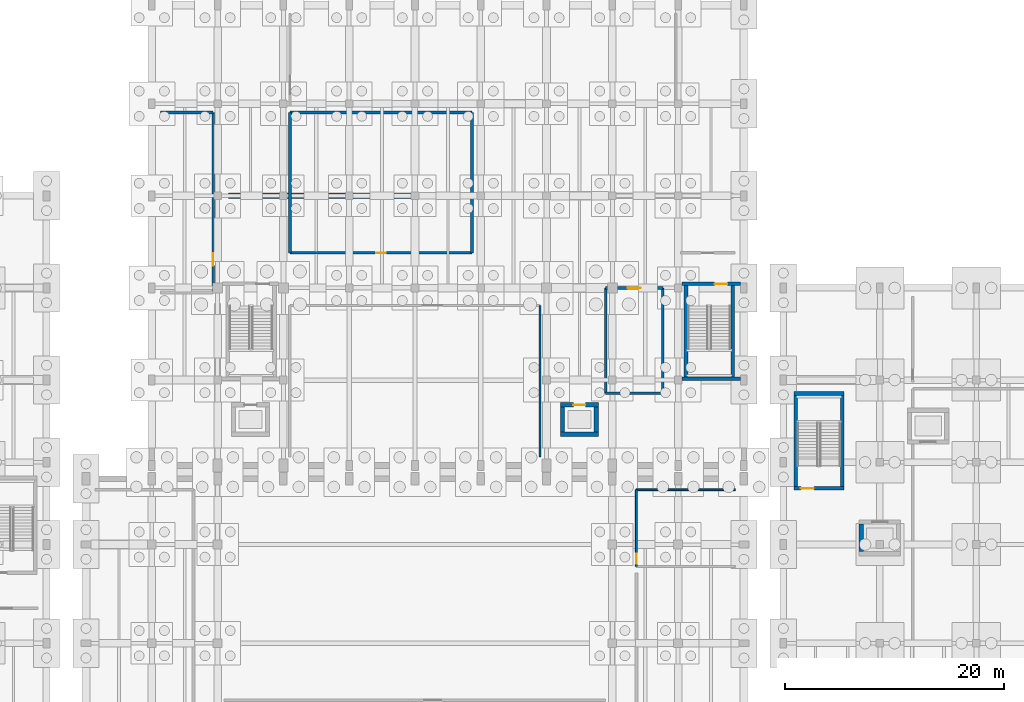
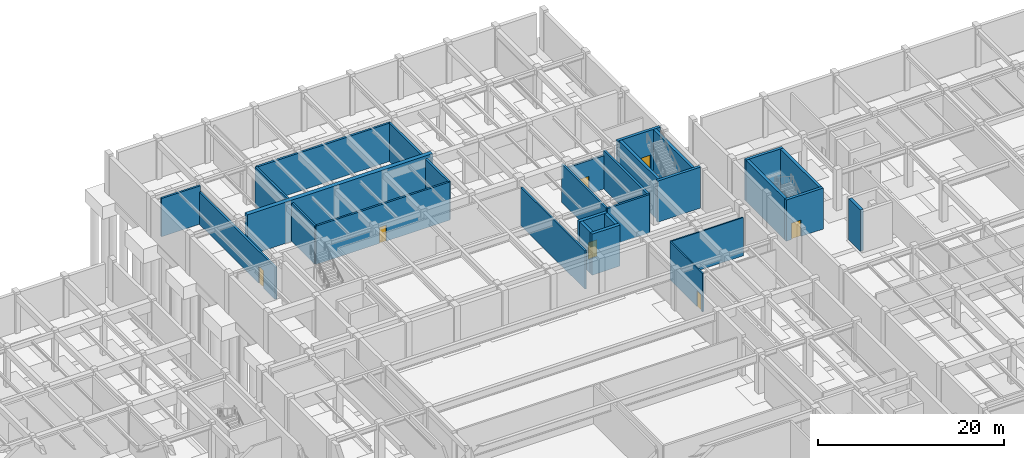
# One storey, part 53 of 69: 27 walls, 7 doors, 7 openings.
"""IFC4 building model written with IfcOpenShell, lengths in metres."""

from ifc_helpers import new_model, si_unit, direction, frame, frame_2d, origin, place, context, subcontext, project, spatial, rectangle, extrude, material, layer, layer_set, type_object, element, fill, save


model = new_model("IFC4")

# Units and contexts
model_context = context("Model", 3, precision=1e-05, world=origin(), true_north=direction((0.0, 1.0)))
body_context = subcontext(model_context, "Body", "Model", "MODEL_VIEW")
ifc_project = project(units=[si_unit("LENGTHUNIT", "METRE"), si_unit("AREAUNIT", "SQUARE_METRE"), si_unit("VOLUMEUNIT", "CUBIC_METRE"), si_unit("PLANEANGLEUNIT", "RADIAN"), si_unit("MASSUNIT", "GRAM", prefix="KILO")], contexts=[model_context])

# Site, building, storey
site_placement = place(None, origin())
site = spatial("IfcSite", under=ifc_project, at=site_placement, CompositionType="ELEMENT")
building_placement = place(site_placement, origin())
building = spatial("IfcBuilding", under=site, at=building_placement, Name="Vaelkrest Opera House", CompositionType="ELEMENT")
storey_placement = place(building_placement, frame((0.0, 0.0, -5.39990234375)))
storey = spatial("IfcBuildingStorey", under=building, at=storey_placement, Name="B1", CompositionType="ELEMENT", Elevation=-5.39990234375)

# Wall
ifc_material_1 = material(Name="Gypsum acoustic board", Category="gypsum")
ifc_layer_1 = layer(ifc_material_1, 0.1650390625)
ifc_layer_set_1 = layer_set([ifc_layer_1], Name="Gypsum acoustic board")
wall_type_1 = type_object("IfcWallType", Name="PT04", PredefinedType="PARTITIONING", material=ifc_layer_set_1)
wall_1_placement = place(storey_placement, frame((20.199951171875, 15.199951171875, 0.0), z_axis=(0.0, 0.0, 1.0), x_axis=(1.0, 0.0, 0.0)))
element("IfcWall", 1, at=wall_1_placement, inside=storey, type_object=wall_type_1, Name="Interior partition PT-V1-B1-0018", PredefinedType="PARTITIONING", context=body_context, shape_type="SweptSolid", body=[
    extrude(rectangle(XDim=9.0, YDim=0.1650390625, at=frame_2d((4.5, 0.0))), origin(), (0.0, 0.0, 1.0), 5.02001953125),
])

# Wall, opening, door
ifc_layer_2 = layer(ifc_material_1, 0.179931640625)
ifc_layer_set_2 = layer_set([ifc_layer_2], Name="Gypsum acoustic board")
wall_type_2 = type_object("IfcWallType", Name="PT05", PredefinedType="PARTITIONING", material=ifc_layer_set_2)
wall_2_placement = place(storey_placement, frame((20.199951171875, 8.199951171875, 0.0), z_axis=(0.0, 0.0, 1.0), x_axis=(0.0, 1.0, 0.0)))
wall_2 = element("IfcWall", 2, at=wall_2_placement, inside=storey, type_object=wall_type_2, Name="Interior partition PT-V1-B1-0019", PredefinedType="PARTITIONING", context=body_context, shape_type="SweptSolid", body=[
    extrude(rectangle(XDim=7.0, YDim=0.179931640625, at=frame_2d((3.5, 0.0))), origin(), (0.0, 0.0, 1.0), 5.02001953125),
])
opening_1_placement = place(wall_2_placement, frame((0.25, 0.0, 0.0)))
opening_1 = element("IfcOpeningElement", 3, at=opening_1_placement, cuts=wall_2, Name="Opening D007", PredefinedType="OPENING", context=body_context, shape_type="SweptSolid", body=[
    extrude(rectangle(XDim=0.89990234375, YDim=2.10009765625, at=frame_2d((0.449951171875, 1.050048828125))), frame((0.0, 0.099853515625, 0.0), z_axis=(0.0, -1.0, 0.0), x_axis=(1.0, 0.0, 0.0)), (0.0, 0.0, 1.0), 0.199951171875),
])
ifc_material_2 = material(Name="American black walnut acoustic timber", Category="wood")
door_type_1 = type_object("IfcDoorType", Name="DT01", OperationType="NOTDEFINED", PredefinedType="DOOR", material=ifc_material_2)
door_1_placement = place(opening_1_placement, origin())
door_1 = element("IfcDoor", 4, at=door_1_placement, inside=storey, type_object=door_type_1, Name="Interior door D007 (Accessible Washroom)", OperationType="SINGLE_SWING_RIGHT", OverallHeight=2.10009765625, OverallWidth=0.89990234375, PredefinedType="DOOR", context=body_context, shape_type="SweptSolid", body=[
    extrude(rectangle(XDim=0.89990234375, YDim=2.10009765625, at=frame_2d((0.449951171875, 1.050048828125))), frame((0.0, 0.02490234375, 0.0), z_axis=(0.0, -1.0, 0.0), x_axis=(1.0, 0.0, 0.0)), (0.0, 0.0, 1.0), 0.050048828125),
])
fill(opening_1, door_1)

# Walls
ifc_layer_3 = layer(ifc_material_2, 0.2099609375)
ifc_layer_set_3 = layer_set([ifc_layer_3], Name="American black walnut acoustic timber")
wall_type_3 = type_object("IfcWallType", Name="PT07", PredefinedType="PARTITIONING", material=ifc_layer_set_3)
wall_3_placement = place(storey_placement, frame((11.39990234375, 18.199951171875, 0.0), z_axis=(0.0, 0.0, 1.0), x_axis=(0.0, 1.0, 0.0)))
element("IfcWall", 5, at=wall_3_placement, inside=storey, type_object=wall_type_3, Name="Interior partition PT-V2-B1-0155", PredefinedType="PARTITIONING", context=body_context, shape_type="SweptSolid", body=[
    extrude(rectangle(XDim=13.800048828125, YDim=0.2099609375, at=frame_2d((6.89990234375, 0.0))), origin(), (0.0, 0.0, 1.0), 5.02001953125),
])
ifc_material_3 = material(Name="Concrete C40/50", Category="concrete")
ifc_layer_4 = layer(ifc_material_3, 0.239990234375)
ifc_layer_set_4 = layer_set([ifc_layer_4], Name="Concrete C40/50")
wall_type_4 = type_object("IfcWallType", Name="PT09", PredefinedType="PARTITIONING", material=ifc_layer_set_4)
wall_4_placement = place(storey_placement, frame((-23.199951171875, 49.60009765625, 0.0), z_axis=(0.0, 0.0, 1.0), x_axis=(1.0, 0.0, 0.0)))
element("IfcWall", 6, at=wall_4_placement, inside=storey, type_object=wall_type_4, Name="Interior partition PT-V2-B1-0157", PredefinedType="PARTITIONING", context=body_context, shape_type="SweptSolid", body=[
    extrude(rectangle(XDim=4.800048828125, YDim=0.239990234375, at=frame_2d((2.39990234375, 0.0))), origin(), (0.0, 0.0, 1.0), 5.02001953125),
])
wall_5_placement = place(storey_placement, frame((17.39990234375, 24.0, 0.0), z_axis=(0.0, 0.0, 1.0), x_axis=(1.0, 0.0, 0.0)))
element("IfcWall", 7, at=wall_5_placement, inside=storey, type_object=wall_type_4, Name="Interior partition PT-V2-B1-0159", PredefinedType="PARTITIONING", context=body_context, shape_type="SweptSolid", body=[
    extrude(rectangle(XDim=5.2001953125, YDim=0.239990234375, at=frame_2d((2.60009765625, 0.0))), origin(), (0.0, 0.0, 1.0), 5.02001953125),
])
wall_6_placement = place(storey_placement, frame((17.39990234375, 24.0, 0.0), z_axis=(0.0, 0.0, 1.0), x_axis=(0.0, 1.0, 0.0)))
element("IfcWall", 8, at=wall_6_placement, inside=storey, type_object=wall_type_4, Name="Interior partition PT-V2-B1-0161", PredefinedType="PARTITIONING", context=body_context, shape_type="SweptSolid", body=[
    extrude(rectangle(XDim=9.60009765625, YDim=0.239990234375, at=frame_2d((4.800048828125, 0.0))), origin(), (0.0, 0.0, 1.0), 5.02001953125),
])

# Wall, opening, door
wall_7_placement = place(storey_placement, frame((-11.39990234375, 36.800048828125, 0.0), z_axis=(0.0, 0.0, 1.0), x_axis=(1.0, 0.0, 0.0)))
wall_7 = element("IfcWall", 9, at=wall_7_placement, inside=storey, type_object=wall_type_4, Name="Interior partition PT-V2-B1-0163", PredefinedType="PARTITIONING", context=body_context, shape_type="SweptSolid", body=[
    extrude(rectangle(XDim=16.599853515625, YDim=0.239990234375, at=frame_2d((8.2998046875, 0.0))), origin(), (0.0, 0.0, 1.0), 5.02001953125),
])
opening_2_placement = place(wall_7_placement, frame((7.85009765625, 0.0, 0.0)))
opening_2 = element("IfcOpeningElement", 10, at=opening_2_placement, cuts=wall_7, Name="Opening D061", PredefinedType="OPENING", context=body_context, shape_type="SweptSolid", body=[
    extrude(rectangle(XDim=0.89990234375, YDim=2.10009765625, at=frame_2d((0.449951171875, 1.050048828125))), frame((0.0, 0.1298828125, 0.0), z_axis=(0.0, -1.0, 0.0), x_axis=(1.0, 0.0, 0.0)), (0.0, 0.0, 1.0), 0.260009765625),
])
door_2_placement = place(opening_2_placement, origin())
door_2 = element("IfcDoor", 11, at=door_2_placement, inside=storey, type_object=door_type_1, Name="Interior door D061 (MEP Plant Room)", OperationType="SINGLE_SWING_RIGHT", OverallHeight=2.10009765625, OverallWidth=0.89990234375, PredefinedType="DOOR", context=body_context, shape_type="SweptSolid", body=[
    extrude(rectangle(XDim=0.89990234375, YDim=2.10009765625, at=frame_2d((0.449951171875, 1.050048828125))), frame((0.0, 0.02490234375, 0.0), z_axis=(0.0, -1.0, 0.0), x_axis=(1.0, 0.0, 0.0)), (0.0, 0.0, 1.0), 0.050048828125),
])
fill(opening_2, door_2)

# Wall
wall_8_placement = place(storey_placement, frame((-11.39990234375, 36.800048828125, 0.0), z_axis=(0.0, 0.0, 1.0), x_axis=(0.0, 1.0, 0.0)))
element("IfcWall", 12, at=wall_8_placement, inside=storey, type_object=wall_type_4, Name="Interior partition PT-V2-B1-0165", PredefinedType="PARTITIONING", context=body_context, shape_type="SweptSolid", body=[
    extrude(rectangle(XDim=12.800048828125, YDim=0.239990234375, at=frame_2d((6.39990234375, 0.0))), origin(), (0.0, 0.0, 1.0), 5.02001953125),
])

# Wall, opening, door
ifc_layer_5 = layer(ifc_material_3, 0.260009765625)
ifc_layer_set_5 = layer_set([ifc_layer_5], Name="Concrete C40/50")
wall_type_5 = type_object("IfcWallType", Name="PT10", PredefinedType="PARTITIONING", material=ifc_layer_set_5)
wall_9_placement = place(storey_placement, frame((-18.39990234375, 33.199951171875, 0.0), z_axis=(0.0, 0.0, 1.0), x_axis=(0.0, 1.0, 0.0)))
wall_9 = element("IfcWall", 13, at=wall_9_placement, inside=storey, type_object=wall_type_5, Name="Interior partition PT-V2-B1-0158", PredefinedType="PARTITIONING", context=body_context, shape_type="SweptSolid", body=[
    extrude(rectangle(XDim=16.400146484375, YDim=0.260009765625, at=frame_2d((8.2001953125, 0.0))), origin(), (0.0, 0.0, 1.0), 4.219970703125),
])
opening_3_placement = place(wall_9_placement, frame((2.43994140625, 0.0, 0.0)))
opening_3 = element("IfcOpeningElement", 14, at=opening_3_placement, cuts=wall_9, Name="Opening D059", PredefinedType="OPENING", context=body_context, shape_type="SweptSolid", body=[
    extrude(rectangle(XDim=1.1201171875, YDim=2.25, at=frame_2d((0.56005859375, 1.125))), frame((0.0, 0.139892578125, 0.0), z_axis=(0.0, -1.0, 0.0), x_axis=(1.0, 0.0, 0.0)), (0.0, 0.0, 1.0), 0.280029296875),
])
door_type_2 = type_object("IfcDoorType", Name="DT23", OperationType="NOTDEFINED", PredefinedType="DOOR", material=ifc_material_2)
door_3_placement = place(opening_3_placement, origin())
door_3 = element("IfcDoor", 15, at=door_3_placement, inside=storey, type_object=door_type_2, Name="Interior door D059 (Scenery Store)", OperationType="SINGLE_SWING_RIGHT", OverallHeight=2.25, OverallWidth=1.1201171875, PredefinedType="DOOR", context=body_context, shape_type="SweptSolid", body=[
    extrude(rectangle(XDim=1.1201171875, YDim=2.25, at=frame_2d((0.56005859375, 1.125))), frame((0.0, 0.02490234375, 0.0), z_axis=(0.0, -1.0, 0.0), x_axis=(1.0, 0.0, 0.0)), (0.0, 0.0, 1.0), 0.050048828125),
])
fill(opening_3, door_3)

wall_10_placement = place(storey_placement, frame((17.39990234375, 33.60009765625, 0.0), z_axis=(0.0, 0.0, 1.0), x_axis=(1.0, 0.0, 0.0)))
wall_10 = element("IfcWall", 16, at=wall_10_placement, inside=storey, type_object=wall_type_5, Name="Interior partition PT-V2-B1-0160", PredefinedType="PARTITIONING", context=body_context, shape_type="SweptSolid", body=[
    extrude(rectangle(XDim=5.2001953125, YDim=0.260009765625, at=frame_2d((2.60009765625, 0.0))), origin(), (0.0, 0.0, 1.0), 4.35888671875),
])
opening_4_placement = place(wall_10_placement, frame((1.989990234375, 0.0, 0.0)))
opening_4 = element("IfcOpeningElement", 17, at=opening_4_placement, cuts=wall_10, Name="Opening D060", PredefinedType="OPENING", context=body_context, shape_type="SweptSolid", body=[
    extrude(rectangle(XDim=1.219970703125, YDim=2.300048828125, at=frame_2d((0.60986328125, 1.14990234375))), frame((0.0, 0.139892578125, 0.0), z_axis=(0.0, -1.0, 0.0), x_axis=(1.0, 0.0, 0.0)), (0.0, 0.0, 1.0), 0.280029296875),
])
door_type_3 = type_object("IfcDoorType", Name="DT24", OperationType="NOTDEFINED", PredefinedType="DOOR", material=ifc_material_2)
door_4_placement = place(opening_4_placement, origin())
door_4 = element("IfcDoor", 18, at=door_4_placement, inside=storey, type_object=door_type_3, Name="Interior door D060 (Prop Store)", OperationType="SINGLE_SWING_LEFT", OverallHeight=2.300048828125, OverallWidth=1.219970703125, PredefinedType="DOOR", context=body_context, shape_type="SweptSolid", body=[
    extrude(rectangle(XDim=1.219970703125, YDim=2.300048828125, at=frame_2d((0.60986328125, 1.14990234375))), frame((0.0, 0.02490234375, 0.0), z_axis=(0.0, -1.0, 0.0), x_axis=(1.0, 0.0, 0.0)), (0.0, 0.0, 1.0), 0.050048828125),
])
fill(opening_4, door_4)

# Walls
wall_11_placement = place(storey_placement, frame((22.60009765625, 24.0, 0.0), z_axis=(0.0, 0.0, 1.0), x_axis=(0.0, 1.0, 0.0)))
element("IfcWall", 19, at=wall_11_placement, inside=storey, type_object=wall_type_5, Name="Interior partition PT-V2-B1-0162", PredefinedType="PARTITIONING", context=body_context, shape_type="SweptSolid", body=[
    extrude(rectangle(XDim=9.60009765625, YDim=0.260009765625, at=frame_2d((4.800048828125, 0.0))), origin(), (0.0, 0.0, 1.0), 5.02001953125),
])
wall_12_placement = place(storey_placement, frame((-11.39990234375, 49.60009765625, 0.0), z_axis=(0.0, 0.0, 1.0), x_axis=(1.0, 0.0, 0.0)))
element("IfcWall", 20, at=wall_12_placement, inside=storey, type_object=wall_type_5, Name="Interior partition PT-V2-B1-0164", PredefinedType="PARTITIONING", context=body_context, shape_type="SweptSolid", body=[
    extrude(rectangle(XDim=16.599853515625, YDim=0.260009765625, at=frame_2d((8.2998046875, 0.0))), origin(), (0.0, 0.0, 1.0), 5.02001953125),
])
wall_13_placement = place(storey_placement, frame((5.199951171875, 36.800048828125, 0.0), z_axis=(0.0, 0.0, 1.0), x_axis=(0.0, 1.0, 0.0)))
element("IfcWall", 21, at=wall_13_placement, inside=storey, type_object=wall_type_5, Name="Interior partition PT-V2-B1-0166", PredefinedType="PARTITIONING", context=body_context, shape_type="SweptSolid", body=[
    extrude(rectangle(XDim=12.800048828125, YDim=0.260009765625, at=frame_2d((6.39990234375, 0.0))), origin(), (0.0, 0.0, 1.0), 5.02001953125),
])
ifc_material_4 = material(Name="Concrete C50/60", Category="concrete")
ifc_layer_6 = layer(ifc_material_4, 0.35009765625)
ifc_layer_set_6 = layer_set([ifc_layer_6], Name="Concrete C50/60")
wall_type_6 = type_object("IfcWallType", Name="SW01", PredefinedType="SHEAR", material=ifc_layer_set_6)
wall_14_placement = place(storey_placement, frame((29.699951171875, 25.324951171875, 0.0), z_axis=(0.0, 0.0, 1.0), x_axis=(-1.0, 0.0, 0.0)))
element("IfcWall", 22, at=wall_14_placement, inside=storey, type_object=wall_type_6, Name="Stair core ST06 wall B1 S", PredefinedType="SHEAR", context=body_context, shape_type="SweptSolid", body=[
    extrude(rectangle(XDim=5.349853515625, YDim=0.35009765625, at=frame_2d((2.6748046875, 0.0))), origin(), (0.0, 0.0, 1.0), 5.39990234375),
])
wall_15_placement = place(storey_placement, frame((24.72509765625, 25.5, 0.0), z_axis=(0.0, 0.0, 1.0), x_axis=(0.0, 1.0, 0.0)))
element("IfcWall", 23, at=wall_15_placement, inside=storey, type_object=wall_type_6, Name="Stair core ST06 wall B1 W", PredefinedType="SHEAR", context=body_context, shape_type="SweptSolid", body=[
    extrude(rectangle(XDim=8.300048828125, YDim=0.35009765625, at=frame_2d((4.14990234375, 0.0))), origin(), (0.0, 0.0, 1.0), 5.39990234375),
])

# Wall, opening, door
wall_16_placement = place(storey_placement, frame((24.35009765625, 33.97509765625, 0.0), z_axis=(0.0, 0.0, 1.0), x_axis=(1.0, 0.0, 0.0)))
wall_16 = element("IfcWall", 24, at=wall_16_placement, inside=storey, type_object=wall_type_6, Name="Stair core ST06 wall B1 N", PredefinedType="SHEAR", context=body_context, shape_type="SweptSolid", body=[
    extrude(rectangle(XDim=5.349853515625, YDim=0.35009765625, at=frame_2d((2.6748046875, 0.0))), origin(), (0.0, 0.0, 1.0), 5.39990234375),
])
opening_5_placement = place(wall_16_placement, frame((2.969970703125, 0.0, 0.0)))
opening_5 = element("IfcOpeningElement", 25, at=opening_5_placement, cuts=wall_16, Name="Opening SD-ST06-B1", PredefinedType="OPENING", context=body_context, shape_type="SweptSolid", body=[
    extrude(rectangle(XDim=1.179931640625, YDim=2.14990234375, at=frame_2d((0.58984375, 1.074951171875))), frame((0.0, 0.18505859375, 0.0), z_axis=(0.0, -1.0, 0.0), x_axis=(1.0, 0.0, 0.0)), (0.0, 0.0, 1.0), 0.3701171875),
])
door_type_4 = type_object("IfcDoorType", Name="DT07", OperationType="NOTDEFINED", PredefinedType="DOOR", material=ifc_material_2)
door_5_placement = place(opening_5_placement, origin())
door_5 = element("IfcDoor", 26, at=door_5_placement, inside=storey, type_object=door_type_4, Name="Protected stair door SD-ST06-B1", OperationType="SINGLE_SWING_LEFT", OverallHeight=2.14990234375, OverallWidth=1.179931640625, PredefinedType="DOOR", context=body_context, shape_type="SweptSolid", body=[
    extrude(rectangle(XDim=1.179931640625, YDim=2.14990234375, at=frame_2d((0.58984375, 1.074951171875))), frame((0.0, 0.02490234375, 0.0), z_axis=(0.0, -1.0, 0.0), x_axis=(1.0, 0.0, 0.0)), (0.0, 0.0, 1.0), 0.050048828125),
])
fill(opening_5, door_5)

# Wall
wall_17_placement = place(storey_placement, frame((28.97509765625, 33.800048828125, 0.0), z_axis=(0.0, 0.0, 1.0), x_axis=(0.0, -1.0, 0.0)))
element("IfcWall", 27, at=wall_17_placement, inside=storey, type_object=wall_type_6, Name="Stair core ST06 wall B1 E", PredefinedType="SHEAR", context=body_context, shape_type="SweptSolid", body=[
    extrude(rectangle(XDim=8.300048828125, YDim=0.35009765625, at=frame_2d((4.14990234375, 0.0))), origin(), (0.0, 0.0, 1.0), 5.39990234375),
])

# Wall, opening, door
wall_18_placement = place(storey_placement, frame((39.14990234375, 15.324951171875, 0.0), z_axis=(0.0, 0.0, 1.0), x_axis=(-1.0, 0.0, 0.0)))
wall_18 = element("IfcWall", 28, at=wall_18_placement, inside=storey, type_object=wall_type_6, Name="Stair core ST09 wall B1 S", PredefinedType="SHEAR", context=body_context, shape_type="SweptSolid", body=[
    extrude(rectangle(XDim=4.599853515625, YDim=0.35009765625, at=frame_2d((2.2998046875, 0.0))), origin(), (0.0, 0.0, 1.0), 5.39990234375),
])
opening_6_placement = place(wall_18_placement, frame((2.77001953125, 0.0, 0.0)))
opening_6 = element("IfcOpeningElement", 29, at=opening_6_placement, cuts=wall_18, Name="Opening SD-ST09-B1", PredefinedType="OPENING", context=body_context, shape_type="SweptSolid", body=[
    extrude(rectangle(XDim=1.179931640625, YDim=2.14990234375, at=frame_2d((0.58984375, 1.074951171875))), frame((0.0, 0.18505859375, 0.0), z_axis=(0.0, -1.0, 0.0), x_axis=(1.0, 0.0, 0.0)), (0.0, 0.0, 1.0), 0.3701171875),
])
door_6_placement = place(opening_6_placement, origin())
door_6 = element("IfcDoor", 30, at=door_6_placement, inside=storey, type_object=door_type_4, Name="Protected stair door SD-ST09-B1", OperationType="SINGLE_SWING_RIGHT", OverallHeight=2.14990234375, OverallWidth=1.179931640625, PredefinedType="DOOR", context=body_context, shape_type="SweptSolid", body=[
    extrude(rectangle(XDim=1.179931640625, YDim=2.14990234375, at=frame_2d((0.58984375, 1.074951171875))), frame((0.0, 0.02490234375, 0.0), z_axis=(0.0, -1.0, 0.0), x_axis=(1.0, 0.0, 0.0)), (0.0, 0.0, 1.0), 0.050048828125),
])
fill(opening_6, door_6)

# Walls
wall_19_placement = place(storey_placement, frame((34.72509765625, 15.5, 0.0), z_axis=(0.0, 0.0, 1.0), x_axis=(0.0, 1.0, 0.0)))
element("IfcWall", 31, at=wall_19_placement, inside=storey, type_object=wall_type_6, Name="Stair core ST09 wall B1 W", PredefinedType="SHEAR", context=body_context, shape_type="SweptSolid", body=[
    extrude(rectangle(XDim=8.300048828125, YDim=0.35009765625, at=frame_2d((4.14990234375, 0.0))), origin(), (0.0, 0.0, 1.0), 5.39990234375),
])
wall_20_placement = place(storey_placement, frame((34.550048828125, 23.97509765625, 0.0), z_axis=(0.0, 0.0, 1.0), x_axis=(1.0, 0.0, 0.0)))
element("IfcWall", 32, at=wall_20_placement, inside=storey, type_object=wall_type_6, Name="Stair core ST09 wall B1 N", PredefinedType="SHEAR", context=body_context, shape_type="SweptSolid", body=[
    extrude(rectangle(XDim=4.599853515625, YDim=0.35009765625, at=frame_2d((2.2998046875, 0.0))), origin(), (0.0, 0.0, 1.0), 5.39990234375),
])
wall_21_placement = place(storey_placement, frame((38.97509765625, 23.800048828125, 0.0), z_axis=(0.0, 0.0, 1.0), x_axis=(0.0, -1.0, 0.0)))
element("IfcWall", 33, at=wall_21_placement, inside=storey, type_object=wall_type_6, Name="Stair core ST09 wall B1 E", PredefinedType="SHEAR", context=body_context, shape_type="SweptSolid", body=[
    extrude(rectangle(XDim=8.300048828125, YDim=0.35009765625, at=frame_2d((4.14990234375, 0.0))), origin(), (0.0, 0.0, 1.0), 5.39990234375),
])
ifc_layer_7 = layer(ifc_material_4, 0.389892578125)
ifc_layer_set_7 = layer_set([ifc_layer_7], Name="Concrete C50/60")
wall_type_7 = type_object("IfcWallType", Name="SW02", PredefinedType="SHEAR", material=ifc_layer_set_7)
wall_22_placement = place(storey_placement, frame((16.739990234375, 20.2548828125, 0.0), z_axis=(0.0, 0.0, 1.0), x_axis=(-1.0, 0.0, 0.0)))
element("IfcWall", 34, at=wall_22_placement, inside=storey, type_object=wall_type_7, Name="Lift shaft LF02 wall B1 S", PredefinedType="SHEAR", context=body_context, shape_type="SweptSolid", body=[
    extrude(rectangle(XDim=3.47998046875, YDim=0.389892578125, at=frame_2d((1.739990234375, 0.0))), origin(), (0.0, 0.0, 1.0), 5.39990234375),
])

# Wall, opening, door
wall_23_placement = place(storey_placement, frame((13.260009765625, 22.945068359375, 0.0), z_axis=(0.0, 0.0, 1.0), x_axis=(1.0, 0.0, 0.0)))
wall_23 = element("IfcWall", 35, at=wall_23_placement, inside=storey, type_object=wall_type_7, Name="Lift shaft LF02 wall B1 N", PredefinedType="SHEAR", context=body_context, shape_type="SweptSolid", body=[
    extrude(rectangle(XDim=3.47998046875, YDim=0.389892578125, at=frame_2d((1.739990234375, 0.0))), origin(), (0.0, 0.0, 1.0), 5.39990234375),
])
opening_7_placement = place(wall_23_placement, frame((1.18994140625, 0.0, 0.0)))
opening_7 = element("IfcOpeningElement", 36, at=opening_7_placement, cuts=wall_23, Name="Opening LD-LF02-B1", PredefinedType="OPENING", context=body_context, shape_type="SweptSolid", body=[
    extrude(rectangle(XDim=1.10009765625, YDim=2.14990234375, at=frame_2d((0.550048828125, 1.074951171875))), frame((0.0, 0.204833984375, 0.0), z_axis=(0.0, -1.0, 0.0), x_axis=(1.0, 0.0, 0.0)), (0.0, 0.0, 1.0), 0.409912109375),
])
ifc_material_5 = material(Name="Dark bronze anodized aluminium", Category="aluminium")
door_type_5 = type_object("IfcDoorType", Name="LDT01", OperationType="SLIDING_TO_LEFT", PredefinedType="DOOR", material=ifc_material_5)
door_7_placement = place(opening_7_placement, origin())
door_7 = element("IfcDoor", 37, at=door_7_placement, inside=storey, type_object=door_type_5, Name="Lift landing sliding door LD-LF02-B1", OperationType="SLIDING_TO_LEFT", OverallHeight=2.14990234375, OverallWidth=1.10009765625, PredefinedType="DOOR", context=body_context, shape_type="SweptSolid", body=[
    extrude(rectangle(XDim=1.10009765625, YDim=2.14990234375, at=frame_2d((0.550048828125, 1.074951171875))), frame((0.0, 0.02490234375, 0.0), z_axis=(0.0, -1.0, 0.0), x_axis=(1.0, 0.0, 0.0)), (0.0, 0.0, 1.0), 0.050048828125),
])
fill(opening_7, door_7)

# Walls
for number, where, z_axis, x_axis, name in (
    (38, (13.455078125, 20.449951171875, 0.0), (0.0, 0.0, 1.0), (0.0, 1.0, 0.0), "Lift shaft LF02 wall B1 W"),
    (39, (16.544921875, 22.75, 0.0), (0.0, 0.0, 1.0), (0.0, -1.0, 0.0), "Lift shaft LF02 wall B1 E"),
):
    element("IfcWall", number, at=place(storey_placement, frame(where, z_axis=z_axis, x_axis=x_axis)), inside=storey, type_object=wall_type_7, Name=name, PredefinedType="SHEAR", context=body_context, shape_type="SweptSolid", body=[
        extrude(rectangle(XDim=2.300048828125, YDim=0.389892578125, at=frame_2d((1.14990234375, 0.0))), origin(), (0.0, 0.0, 1.0), 5.39990234375),
    ])
wall_24_placement = place(storey_placement, frame((40.705078125, 9.550048828125, 0.0), z_axis=(0.0, 0.0, 1.0), x_axis=(0.0, 1.0, 0.0)))
element("IfcWall", 40, at=wall_24_placement, inside=storey, type_object=wall_type_7, Name="Lift shaft LP06 wall B1 W", PredefinedType="SHEAR", context=body_context, shape_type="SweptSolid", body=[
    extrude(rectangle(XDim=2.5, YDim=0.389892578125, at=frame_2d((1.25, 0.0))), origin(), (0.0, 0.0, 1.0), 5.39990234375),
])
ifc_layer_8 = layer(ifc_material_4, 0.52001953125)
ifc_layer_set_8 = layer_set([ifc_layer_8], Name="Concrete C50/60")
wall_type_8 = type_object("IfcWallType", Name="SW04", PredefinedType="SHEAR", material=ifc_layer_set_8)
wall_25_placement = place(storey_placement, frame((-17.0, 42.0, 0.0), z_axis=(0.0, 0.0, 1.0), x_axis=(1.0, 0.0, 0.0)))
element("IfcWall", 41, at=wall_25_placement, inside=storey, type_object=wall_type_8, Name="Fly tower north shear wall B1 W", PredefinedType="SHEAR", context=body_context, shape_type="SweptSolid", body=[
    extrude(rectangle(XDim=23.0, YDim=0.52001953125, at=frame_2d((11.5, 0.0))), origin(), (0.0, 0.0, 1.0), 5.39990234375),
])

save(model, "model.ifc")
